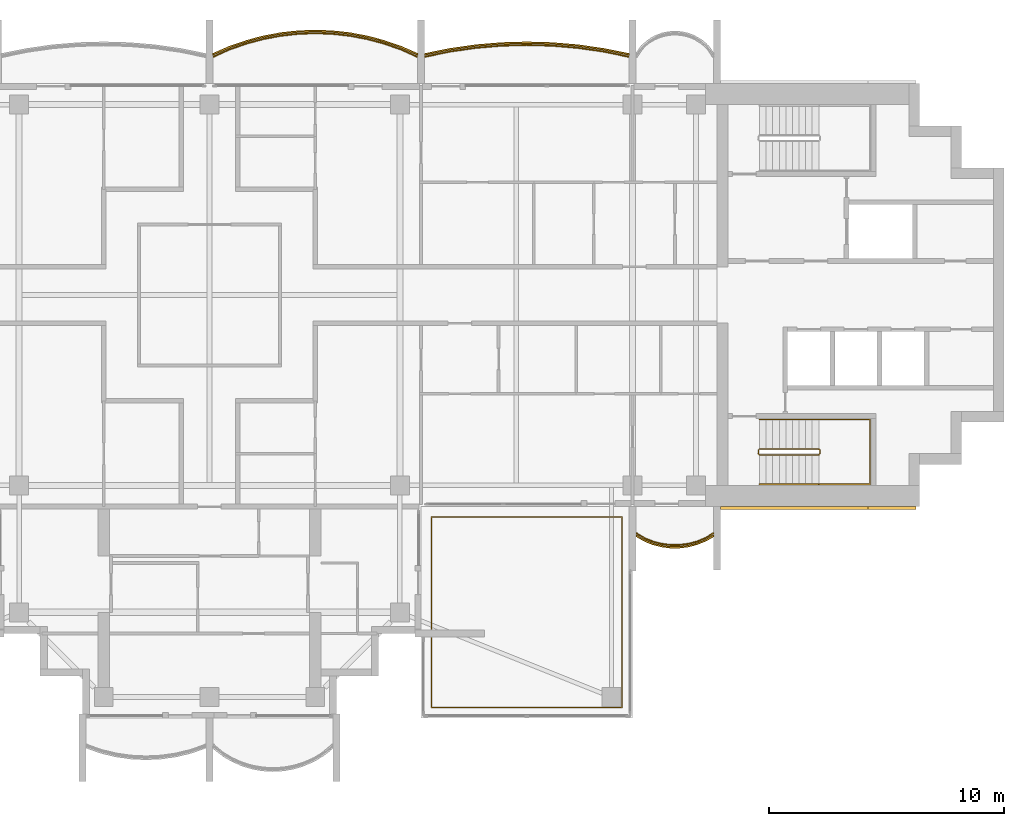
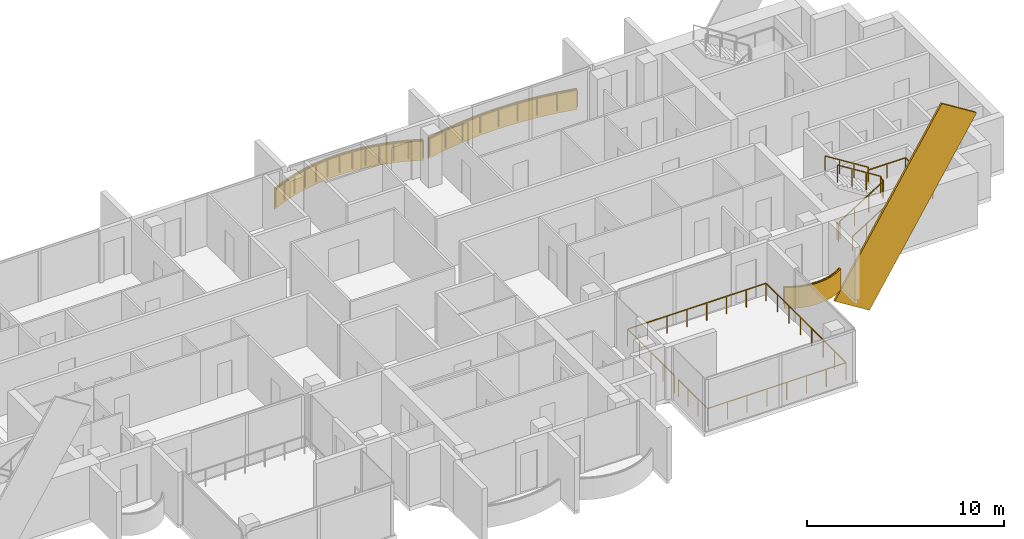
# One storey, part 15 of 16: 6 railings, 4 coverings.
"""IFC4 building model written with IfcOpenShell, lengths in metres."""

import ifcopenshell
import ifcopenshell.guid

model = None  # the IFC model being written
_history = None  # IfcOwnerHistory: only IFC2X3 demands one
_inside = {}  # id of a spatial element -> (the spatial element, [elements in it])
_under = {}  # id of a project, library or spatial element -> (it, [spatial elements below it])
_declared = {}  # id of a project -> (the project, [libraries it declares])
_typed = {}  # id of a type object -> (the type object, [elements of that type])
_made_of = {}  # id of a material, layer set ... -> (it, [elements and type objects made of it])


def new_model(schema):
    """Start an empty IFC model of exactly this schema.

    Asked for "IFC4X3", IfcOpenShell would pick the latest addendum, in which some entities
    have other attributes; the version numbers below select the first issue.
    IFC2X3 requires an IfcOwnerHistory on every rooted entity: one is made here for all.
    """
    global model, _history
    if schema == "IFC4X3":
        model = ifcopenshell.file(schema_version=(4, 3, 0, 0))
    else:
        model = ifcopenshell.file(schema=schema)
    _inside.clear()
    _under.clear()
    _declared.clear()
    _typed.clear()
    _made_of.clear()
    _history = None
    if model.schema == "IFC2X3":
        org = make("IfcOrganization", Name="unknown")
        user = make(
            "IfcPersonAndOrganization",
            ThePerson=make("IfcPerson", FamilyName="unknown"),
            TheOrganization=org,
        )
        app = make(
            "IfcApplication",
            ApplicationDeveloper=org,
            Version="unknown",
            ApplicationFullName="unknown",
            ApplicationIdentifier="unknown",
        )
        _history = make(
            "IfcOwnerHistory",
            OwningUser=user,
            OwningApplication=app,
            ChangeAction="ADDED",
            CreationDate=0,
        )
    return model


def make(cls, **values):
    """One entity of the class cls with the attributes given. An attribute that is None is left unset."""
    return model.create_entity(
        cls, **{name: value for name, value in values.items() if value is not None}
    )


def rooted(cls, **values):
    """An entity with a GlobalId (a new one), such as an element, a storey or a relation."""
    return make(cls, GlobalId=ifcopenshell.guid.new(), OwnerHistory=_history, **values)


def si_unit(unit_type, name, prefix=None):
    """IfcSIUnit, for example si_unit("LENGTHUNIT", "METRE", prefix="MILLI")."""
    return make("IfcSIUnit", UnitType=unit_type, Prefix=prefix, Name=name)


def assignment(units):
    """IfcUnitAssignment: the units of a project."""
    return None if units is None else make("IfcUnitAssignment", Units=units)


def point(xyz):
    """IfcCartesianPoint."""
    return None if xyz is None else make("IfcCartesianPoint", Coordinates=xyz)


def direction(xyz):
    """IfcDirection."""
    return None if xyz is None else make("IfcDirection", DirectionRatios=xyz)


def frame(location, z_axis=None, x_axis=None):
    """IfcAxis2Placement3D, a coordinate frame: its origin and axes. An axis left out is left unset."""
    return make(
        "IfcAxis2Placement3D",
        Location=point(location),
        Axis=direction(z_axis),
        RefDirection=direction(x_axis),
    )


def frame_2d(location, x_axis=None):
    """IfcAxis2Placement2D, a coordinate frame in the plane: its origin and x axis."""
    return make(
        "IfcAxis2Placement2D", Location=point(location), RefDirection=direction(x_axis)
    )


def origin():
    """The frame at (0, 0, 0) with its axes left unset."""
    return frame((0.0, 0.0, 0.0))


def origin_2d():
    """The frame at (0, 0) in the plane with its x axis left unset."""
    return frame_2d((0.0, 0.0))


def place(relative_to, where):
    """IfcLocalPlacement: puts the frame where relative to a parent placement (None: the world)."""
    return make(
        "IfcLocalPlacement", PlacementRelTo=relative_to, RelativePlacement=where
    )


def context(
    kind, dimensions, precision=None, world=None, true_north=None, identifier=None
):
    """IfcGeometricRepresentationContext, for example the 3D "Model" context."""
    return make(
        "IfcGeometricRepresentationContext",
        ContextIdentifier=identifier,
        ContextType=kind,
        CoordinateSpaceDimension=dimensions,
        Precision=precision,
        WorldCoordinateSystem=world,
        TrueNorth=true_north,
    )


def subcontext(parent, identifier, kind, view, scale=None):
    """IfcGeometricRepresentationSubContext, for example "Body" below "Model"."""
    return make(
        "IfcGeometricRepresentationSubContext",
        ContextIdentifier=identifier,
        ContextType=kind,
        ParentContext=parent,
        TargetScale=scale,
        TargetView=view,
    )


def project(units=None, contexts=None):
    """IfcProject with its units and contexts."""
    return rooted(
        "IfcProject",
        Name="project",
        RepresentationContexts=contexts,
        UnitsInContext=assignment(units),
    )


def spatial(cls, under=None, at=None, **own):
    """A site, building, storey or space (cls), placed at a placement, below another one or the project."""
    s = rooted(cls, ObjectPlacement=at, **own)
    if under is not None:
        _under.setdefault(under.id(), (under, []))[1].append(s)
    return s


def polyline(points):
    """IfcPolyline through the points."""
    return make("IfcPolyline", Points=[point(p) for p in points])


def profile(cls, at=None, kind="AREA", **sizes):
    """A parametric profile (cls). Its sizes go by their IFC names, for example OverallWidth=200.0."""
    return make(cls, ProfileType=kind, Position=at, **sizes)


def rectangle(**sizes):
    """IfcRectangleProfileDef."""
    return profile("IfcRectangleProfileDef", **sizes)


def outline(outer, holes=None, kind="AREA"):
    """IfcArbitraryClosedProfileDef: a profile drawn as a closed curve; with holes, ...WithVoids."""
    if holes is None:
        return make("IfcArbitraryClosedProfileDef", ProfileType=kind, OuterCurve=outer)
    return make(
        "IfcArbitraryProfileDefWithVoids",
        ProfileType=kind,
        OuterCurve=outer,
        InnerCurves=holes,
    )


def extrude(swept, where, along, depth):
    """IfcExtrudedAreaSolid: the profile swept, set in the frame where, extruded along a direction by depth."""
    return make(
        "IfcExtrudedAreaSolid",
        SweptArea=swept,
        Position=where,
        ExtrudedDirection=direction(along),
        Depth=depth,
    )


def shape(context_of_items, identifier, shape_type, items):
    """IfcShapeRepresentation: the items that make up one representation, for example the "Body"."""
    return make(
        "IfcShapeRepresentation",
        ContextOfItems=context_of_items,
        RepresentationIdentifier=identifier,
        RepresentationType=shape_type,
        Items=items,
    )


def material(Name=None, Category=None):
    """IfcMaterial."""
    return make("IfcMaterial", Name=Name, Category=Category)


def layer(
    of_material, thickness, ventilated=None, Name=None, Category=None, Priority=None
):
    """IfcMaterialLayer: one layer of a wall or slab, of a material (None: an air gap)."""
    return make(
        "IfcMaterialLayer",
        Material=of_material,
        LayerThickness=thickness,
        IsVentilated=ventilated,
        Name=Name,
        Category=Category,
        Priority=Priority,
    )


def layer_set(layers, Name=None):
    """IfcMaterialLayerSet."""
    return make("IfcMaterialLayerSet", MaterialLayers=layers, LayerSetName=Name)


def material_profile(
    of_material, cross_section, Name=None, Category=None, Priority=None
):
    """IfcMaterialProfile: a cross section and its material."""
    return make(
        "IfcMaterialProfile",
        Name=Name,
        Material=of_material,
        Profile=cross_section,
        Priority=Priority,
        Category=Category,
    )


def profile_set(profiles, Name=None, composite=None):
    """IfcMaterialProfileSet."""
    return make(
        "IfcMaterialProfileSet",
        Name=Name,
        MaterialProfiles=profiles,
        CompositeProfile=composite,
    )


def made_of(thing, what):
    """Note that an element or type object is made of a material, layer set ...; save() writes the relation."""
    if what is not None:
        _made_of.setdefault(what.id(), (what, []))[1].append(thing)
    return thing


def type_object(cls, material=None, **own):
    """A type object (cls), such as IfcWallType, which elements share."""
    return made_of(rooted(cls, **own), material)


def element(
    cls,
    number,
    at=None,
    inside=None,
    cuts=None,
    type_object=None,
    material=None,
    context=None,
    identifier="Body",
    shape_type=None,
    held_by="IfcProductDefinitionShape",
    body=None,
    shapes=None,
    **own,
):
    """One element of the class cls, such as IfcWall. Its Tag is "e" and its number.

    at: its placement. inside: the storey or other place that contains it. cuts: it is an
    opening in that element (IfcRelVoidsElement). A single representation is given by context,
    identifier, shape_type and body (its items); several are given by shapes. held_by: the class
    of the entity that holds the representations. save() writes the other relations.
    """
    e = rooted(cls, Tag="e%d" % number, ObjectPlacement=at, **own)
    if body is not None:
        shapes = [shape(context, identifier, shape_type, body)]
    if shapes is not None:
        e.Representation = make(held_by, Representations=shapes)
    if inside is not None:
        _inside.setdefault(inside.id(), (inside, []))[1].append(e)
    if cuts is not None:
        rooted(
            "IfcRelVoidsElement", RelatingBuildingElement=cuts, RelatedOpeningElement=e
        )
    if type_object is not None:
        _typed.setdefault(type_object.id(), (type_object, []))[1].append(e)
    return made_of(e, material)


def aggregate(whole, parts):
    """IfcRelAggregates: a whole, such as a stair, and the parts it consists of."""
    return rooted("IfcRelAggregates", RelatingObject=whole, RelatedObjects=parts)


def save(model, path):
    """Write the relations noted so far, then the file.

    IfcRelAggregates (storeys below a building ...), IfcRelContainedInSpatialStructure (elements
    in a storey), IfcRelDefinesByType, IfcRelAssociatesMaterial and IfcRelDeclares: one each for
    every whole, place, type object, material and project.
    """
    for whole, parts in _under.values():
        aggregate(whole, parts)
    for where, things in _inside.values():
        rooted(
            "IfcRelContainedInSpatialStructure",
            RelatedElements=things,
            RelatingStructure=where,
        )
    for kind, things in _typed.values():
        rooted("IfcRelDefinesByType", RelatedObjects=things, RelatingType=kind)
    for what, things in _made_of.values():
        rooted("IfcRelAssociatesMaterial", RelatedObjects=things, RelatingMaterial=what)
    for by, libraries in _declared.values():
        rooted("IfcRelDeclares", RelatingContext=by, RelatedDefinitions=libraries)
    model.write(path)


model = new_model("IFC4")

# Units and contexts
model_context = context("Model", 3, precision=1e-05, world=origin(), true_north=direction((0.0, 1.0)))
body_context = subcontext(model_context, "Body", "Model", "MODEL_VIEW")
ifc_project = project(units=[si_unit("LENGTHUNIT", "METRE"), si_unit("AREAUNIT", "SQUARE_METRE"), si_unit("VOLUMEUNIT", "CUBIC_METRE"), si_unit("PLANEANGLEUNIT", "RADIAN"), si_unit("MASSUNIT", "GRAM", prefix="KILO")], contexts=[model_context])

# Site, building, storey
site_placement = place(None, origin())
site = spatial("IfcSite", under=ifc_project, at=site_placement, CompositionType="ELEMENT")
building_placement = place(site_placement, origin())
building = spatial("IfcBuilding", under=site, at=building_placement, Name="Perihelion Cross Residences", CompositionType="ELEMENT")
storey_placement = place(building_placement, frame((0.0, 0.0, 271.0)))
storey = spatial("IfcBuildingStorey", under=building, at=storey_placement, Name="L69", CompositionType="ELEMENT", Elevation=271.0)

# Coverings
ifc_material_1 = material(Name="Bronze anodised aluminium", Category="aluminium")
ifc_layer = layer(ifc_material_1, 0.070068359375)
ifc_layer_set = layer_set([ifc_layer], Name="Balcony fascia 1300")
covering_type_1 = type_object("IfcCoveringType", Name="Balcony fascia 1300", PredefinedType="CLADDING", material=ifc_layer_set)
covering_1_placement = place(storey_placement, frame((0.0, 0.0, -0.199951171875)))
element("IfcCovering", 1, at=covering_1_placement, inside=storey, type_object=covering_type_1, Name="Fascia BF1 L69 east side north bay 2", PredefinedType="CLADDING", context=body_context, shape_type="SweptSolid", body=[
    extrude(outline(polyline([(16.7744140625, 10.4892578125), (15.682861328125, 10.645751953125), (14.591552734375, 10.739013671875), (13.5, 10.77001953125), (12.408447265625, 10.739013671875), (11.317138671875, 10.645751953125), (10.2255859375, 10.4892578125), (9.14990234375, 10.271484375), (9.14990234375, 10.199951171875), (10.237548828125, 10.42041015625), (11.324951171875, 10.576171875), (12.41259765625, 10.669189453125), (13.5, 10.699951171875), (14.58740234375, 10.669189453125), (15.675048828125, 10.576171875), (16.762451171875, 10.42041015625), (17.85009765625, 10.199951171875), (17.85009765625, 10.271484375), (16.7744140625, 10.4892578125)])), origin(), (0.0, 0.0, 1.0), 1.300048828125),
])
covering_2_placement = place(storey_placement, frame((0.0, 0.0, -0.199951171875)))
element("IfcCovering", 2, at=covering_2_placement, inside=storey, type_object=covering_type_1, Name="Fascia BF1 L69 north side east bay 1", PredefinedType="CLADDING", context=body_context, shape_type="SweptSolid", body=[
    extrude(outline(polyline([(8.150634765625, 10.582275390625), (7.42041015625, 10.83544921875), (6.690185546875, 11.028076171875), (5.960205078125, 11.1630859375), (5.22998046875, 11.243408203125), (4.5, 11.27001953125), (3.77001953125, 11.243408203125), (3.039794921875, 11.1630859375), (2.309814453125, 11.028076171875), (1.57958984375, 10.83544921875), (0.849365234375, 10.582275390625), (0.14990234375, 10.2763671875), (0.14990234375, 10.199951171875), (0.875, 10.51708984375), (1.60009765625, 10.7685546875), (2.324951171875, 10.959716796875), (3.050048828125, 11.093994140625), (3.77490234375, 11.173583984375), (4.5, 11.199951171875), (5.22509765625, 11.173583984375), (5.949951171875, 11.093994140625), (6.675048828125, 10.959716796875), (7.39990234375, 10.7685546875), (8.125, 10.51708984375), (8.85009765625, 10.199951171875), (8.85009765625, 10.2763671875), (8.150634765625, 10.582275390625)])), origin(), (0.0, 0.0, 1.0), 1.300048828125),
])
covering_3_placement = place(storey_placement, frame((0.0, 0.0, -0.199951171875)))
element("IfcCovering", 3, at=covering_3_placement, inside=storey, type_object=covering_type_1, Name="Fascia BF1 L69 east side south bay 2", PredefinedType="CLADDING", context=body_context, shape_type="SweptSolid", body=[
    extrude(outline(polyline([(18.486328125, -10.4716796875), (18.861572265625, -10.62158203125), (19.237060546875, -10.717529296875), (19.6123046875, -10.76416015625), (19.987548828125, -10.76416015625), (20.363037109375, -10.717529296875), (20.73828125, -10.62158203125), (21.11376953125, -10.4716796875), (21.449951171875, -10.280517578125), (21.449951171875, -10.199951171875), (21.083251953125, -10.40869140625), (20.716552734375, -10.55517578125), (20.35009765625, -10.648681640625), (19.9833984375, -10.6943359375), (19.61669921875, -10.6943359375), (19.25, -10.648681640625), (18.88330078125, -10.55517578125), (18.5166015625, -10.40869140625), (18.14990234375, -10.199951171875), (18.14990234375, -10.280517578125), (18.486328125, -10.4716796875)])), origin(), (0.0, 0.0, 1.0), 1.300048828125),
])

# Railings
ifc_material_2 = material(Name="Bronze anodised aluminium", Category="aluminium")
railing_type_1 = type_object("IfcRailingType", Name="Balcony guard 1100", PredefinedType="GUARDRAIL", material=ifc_material_2)
railing_1_placement = place(storey_placement, frame((17.824951171875, 10.139892578125, 0.0)))
element("IfcRailing", 4, at=railing_1_placement, inside=storey, type_object=railing_type_1, Name="Guard GU1 L69 east side north bay 2 balcony", PredefinedType="GUARDRAIL", context=body_context, shape_type="SweptSolid", body=[
    extrude(rectangle(XDim=0.048095703125, YDim=0.048095703125, at=origin_2d()), frame((0.0, 0.0, 1.076171875), z_axis=(-0.979144816647, 0.203163549961, 0.0), x_axis=(-0.203163549961, -0.979144816647, 0.0)), (0.0, 0.0, 1.0), 1.085205078125),
    extrude(rectangle(XDim=0.048095703125, YDim=0.048095703125, at=origin_2d()), frame((-1.0625, 0.220458984375, 1.076171875), z_axis=(-0.98989608354, 0.141794724135, 0.0), x_axis=(-0.141794724135, -0.98989608354, 0.0)), (0.0, 0.0, 1.0), 1.098388671875),
    extrude(rectangle(XDim=0.048095703125, YDim=0.048095703125, at=origin_2d()), frame((-2.14990234375, 0.376220703125, 1.076171875), z_axis=(-0.996362942492, 0.085210837506, 0.0), x_axis=(-0.085210837506, -0.996362942492, 0.0)), (0.0, 0.0, 1.0), 1.091552734375),
    extrude(rectangle(XDim=0.048095703125, YDim=0.048095703125, at=origin_2d()), frame((-3.237548828125, 0.46923828125, 1.076171875), z_axis=(-0.999600101203, 0.028277865458, 0.0), x_axis=(-0.028277865458, -0.999600101203, 0.0)), (0.0, 0.0, 1.0), 1.087890625),
    extrude(rectangle(XDim=0.048095703125, YDim=0.048095703125, at=origin_2d()), frame((-4.324951171875, 0.5, 1.076171875), z_axis=(-0.999600101203, -0.028277865458, 0.0), x_axis=(0.028277865458, -0.999600101203, 0.0)), (0.0, 0.0, 1.0), 1.087890625),
    extrude(rectangle(XDim=0.048095703125, YDim=0.048095703125, at=origin_2d()), frame((-5.412353515625, 0.46923828125, 1.076171875), z_axis=(-0.996362942492, -0.085210837506, 0.0), x_axis=(0.085210837506, -0.996362942492, 0.0)), (0.0, 0.0, 1.0), 1.091552734375),
    extrude(rectangle(XDim=0.048095703125, YDim=0.048095703125, at=origin_2d()), frame((-6.5, 0.376220703125, 1.076171875), z_axis=(-0.98989608354, -0.141794724135, 0.0), x_axis=(0.141794724135, -0.98989608354, 0.0)), (0.0, 0.0, 1.0), 1.098388671875),
    extrude(rectangle(XDim=0.048095703125, YDim=0.048095703125, at=origin_2d()), frame((-7.58740234375, 0.220458984375, 1.076171875), z_axis=(-0.979144816647, -0.203163549961, 0.0), x_axis=(0.203163549961, -0.979144816647, 0.0)), (0.0, 0.0, 1.0), 1.085205078125),
    extrude(rectangle(XDim=0.0419921875, YDim=0.0419921875, at=origin_2d()), origin(), (0.0, 0.0, 1.0), 1.052001953125),
    extrude(rectangle(XDim=0.0419921875, YDim=0.0419921875, at=origin_2d()), frame((-1.0625, 0.220458984375, 0.0)), (0.0, 0.0, 1.0), 1.052001953125),
    extrude(rectangle(XDim=0.0419921875, YDim=0.0419921875, at=origin_2d()), frame((-2.14990234375, 0.376220703125, 0.0)), (0.0, 0.0, 1.0), 1.052001953125),
    extrude(rectangle(XDim=0.0419921875, YDim=0.0419921875, at=origin_2d()), frame((-3.237548828125, 0.46923828125, 0.0)), (0.0, 0.0, 1.0), 1.052001953125),
    extrude(rectangle(XDim=0.0419921875, YDim=0.0419921875, at=origin_2d()), frame((-4.324951171875, 0.5, 0.0)), (0.0, 0.0, 1.0), 1.052001953125),
    extrude(rectangle(XDim=0.0419921875, YDim=0.0419921875, at=origin_2d()), frame((-5.412353515625, 0.46923828125, 0.0)), (0.0, 0.0, 1.0), 1.052001953125),
    extrude(rectangle(XDim=0.0419921875, YDim=0.0419921875, at=origin_2d()), frame((-6.5, 0.376220703125, 0.0)), (0.0, 0.0, 1.0), 1.052001953125),
    extrude(rectangle(XDim=0.0419921875, YDim=0.0419921875, at=origin_2d()), frame((-7.58740234375, 0.220458984375, 0.0)), (0.0, 0.0, 1.0), 1.052001953125),
    extrude(rectangle(XDim=0.0419921875, YDim=0.0419921875, at=origin_2d()), frame((-8.64990234375, 0.0, 0.0)), (0.0, 0.0, 1.0), 1.052001953125),
])
railing_2_placement = place(storey_placement, frame((8.824951171875, 10.139892578125, 0.0)))
element("IfcRailing", 5, at=railing_2_placement, inside=storey, type_object=railing_type_1, Name="Guard GU1 L69 north side east bay 1 balcony", PredefinedType="GUARDRAIL", context=body_context, shape_type="SweptSolid", body=[
    extrude(rectangle(XDim=0.048095703125, YDim=0.048095703125, at=origin_2d()), frame((0.0, 0.0, 1.076171875), z_axis=(-0.910866309087, 0.412701547089, 0.0), x_axis=(-0.412701547089, -0.910866309087, 0.0)), (0.0, 0.0, 1.0), 0.7685546875),
    extrude(rectangle(XDim=0.048095703125, YDim=0.048095703125, at=origin_2d()), frame((-0.699951171875, 0.317138671875, 1.076171875), z_axis=(-0.944796812452, 0.327656807012, 0.0), x_axis=(-0.327656807012, -0.944796812452, 0.0)), (0.0, 0.0, 1.0), 0.767578125),
    extrude(rectangle(XDim=0.048095703125, YDim=0.048095703125, at=origin_2d()), frame((-1.425048828125, 0.568603515625, 1.076171875), z_axis=(-0.966939404945, 0.255006249266, 0.0), x_axis=(-0.255006249266, -0.966939404945, 0.0)), (0.0, 0.0, 1.0), 0.749755859375),
    extrude(rectangle(XDim=0.048095703125, YDim=0.048095703125, at=origin_2d()), frame((-2.14990234375, 0.759765625, 1.076171875), z_axis=(-0.983282004984, 0.182089260182, 0.0), x_axis=(-0.182089260182, -0.983282004984, 0.0)), (0.0, 0.0, 1.0), 0.7373046875),
    extrude(rectangle(XDim=0.048095703125, YDim=0.048095703125, at=origin_2d()), frame((-2.875, 0.89404296875, 1.076171875), z_axis=(-0.994025805622, 0.109145305703, 0.0), x_axis=(-0.109145305703, -0.994025805622, 0.0)), (0.0, 0.0, 1.0), 0.729248046875),
    extrude(rectangle(XDim=0.048095703125, YDim=0.048095703125, at=origin_2d()), frame((-3.599853515625, 0.9736328125, 1.076171875), z_axis=(-0.999339497946, 0.036339618107, 0.0), x_axis=(-0.036339618107, -0.999339497946, 0.0)), (0.0, 0.0, 1.0), 0.7255859375),
    extrude(rectangle(XDim=0.048095703125, YDim=0.048095703125, at=origin_2d()), frame((-4.324951171875, 1.0, 1.076171875), z_axis=(-0.999339497946, -0.036339618107, 0.0), x_axis=(0.036339618107, -0.999339497946, 0.0)), (0.0, 0.0, 1.0), 0.7255859375),
    extrude(rectangle(XDim=0.048095703125, YDim=0.048095703125, at=origin_2d()), frame((-5.050048828125, 0.9736328125, 1.076171875), z_axis=(-0.994025805622, -0.109145305703, 0.0), x_axis=(0.109145305703, -0.994025805622, 0.0)), (0.0, 0.0, 1.0), 0.729248046875),
    extrude(rectangle(XDim=0.048095703125, YDim=0.048095703125, at=origin_2d()), frame((-5.77490234375, 0.89404296875, 1.076171875), z_axis=(-0.983282004984, -0.182089260182, 0.0), x_axis=(0.182089260182, -0.983282004984, 0.0)), (0.0, 0.0, 1.0), 0.7373046875),
    extrude(rectangle(XDim=0.048095703125, YDim=0.048095703125, at=origin_2d()), frame((-6.5, 0.759765625, 1.076171875), z_axis=(-0.966939404945, -0.255006249266, 0.0), x_axis=(0.255006249266, -0.966939404945, 0.0)), (0.0, 0.0, 1.0), 0.749755859375),
    extrude(rectangle(XDim=0.048095703125, YDim=0.048095703125, at=origin_2d()), frame((-7.224853515625, 0.568603515625, 1.076171875), z_axis=(-0.944796812452, -0.327656807012, 0.0), x_axis=(0.327656807012, -0.944796812452, 0.0)), (0.0, 0.0, 1.0), 0.767578125),
    extrude(rectangle(XDim=0.048095703125, YDim=0.048095703125, at=origin_2d()), frame((-7.949951171875, 0.317138671875, 1.076171875), z_axis=(-0.910866309087, -0.412701547089, 0.0), x_axis=(0.412701547089, -0.910866309087, 0.0)), (0.0, 0.0, 1.0), 0.7685546875),
    extrude(rectangle(XDim=0.0419921875, YDim=0.0419921875, at=origin_2d()), origin(), (0.0, 0.0, 1.0), 1.052001953125),
    extrude(rectangle(XDim=0.0419921875, YDim=0.0419921875, at=origin_2d()), frame((-0.699951171875, 0.317138671875, 0.0)), (0.0, 0.0, 1.0), 1.052001953125),
    extrude(rectangle(XDim=0.0419921875, YDim=0.0419921875, at=origin_2d()), frame((-1.425048828125, 0.568603515625, 0.0)), (0.0, 0.0, 1.0), 1.052001953125),
    extrude(rectangle(XDim=0.0419921875, YDim=0.0419921875, at=origin_2d()), frame((-2.14990234375, 0.759765625, 0.0)), (0.0, 0.0, 1.0), 1.052001953125),
    extrude(rectangle(XDim=0.0419921875, YDim=0.0419921875, at=origin_2d()), frame((-2.875, 0.89404296875, 0.0)), (0.0, 0.0, 1.0), 1.052001953125),
    extrude(rectangle(XDim=0.0419921875, YDim=0.0419921875, at=origin_2d()), frame((-3.599853515625, 0.9736328125, 0.0)), (0.0, 0.0, 1.0), 1.052001953125),
    extrude(rectangle(XDim=0.0419921875, YDim=0.0419921875, at=origin_2d()), frame((-4.324951171875, 1.0, 0.0)), (0.0, 0.0, 1.0), 1.052001953125),
    extrude(rectangle(XDim=0.0419921875, YDim=0.0419921875, at=origin_2d()), frame((-5.050048828125, 0.9736328125, 0.0)), (0.0, 0.0, 1.0), 1.052001953125),
    extrude(rectangle(XDim=0.0419921875, YDim=0.0419921875, at=origin_2d()), frame((-5.77490234375, 0.89404296875, 0.0)), (0.0, 0.0, 1.0), 1.052001953125),
    extrude(rectangle(XDim=0.0419921875, YDim=0.0419921875, at=origin_2d()), frame((-6.5, 0.759765625, 0.0)), (0.0, 0.0, 1.0), 1.052001953125),
    extrude(rectangle(XDim=0.0419921875, YDim=0.0419921875, at=origin_2d()), frame((-7.224853515625, 0.568603515625, 0.0)), (0.0, 0.0, 1.0), 1.052001953125),
    extrude(rectangle(XDim=0.0419921875, YDim=0.0419921875, at=origin_2d()), frame((-7.949951171875, 0.317138671875, 0.0)), (0.0, 0.0, 1.0), 1.052001953125),
    extrude(rectangle(XDim=0.0419921875, YDim=0.0419921875, at=origin_2d()), frame((-8.64990234375, 0.0, 0.0)), (0.0, 0.0, 1.0), 1.052001953125),
])
railing_3_placement = place(storey_placement, frame((18.175048828125, -10.139892578125, 0.0)))
element("IfcRailing", 6, at=railing_3_placement, inside=storey, type_object=railing_type_1, Name="Guard GU1 L69 east side south bay 2 balcony", PredefinedType="GUARDRAIL", context=body_context, shape_type="SweptSolid", body=[
    extrude(rectangle(XDim=0.048095703125, YDim=0.048095703125, at=origin_2d()), frame((0.0, 0.0, 1.076171875), z_axis=(0.853266756821, -0.52147467983, 0.0), x_axis=(0.52147467983, 0.853266756821, 0.0)), (0.0, 0.0, 1.0), 0.400390625),
    extrude(rectangle(XDim=0.048095703125, YDim=0.048095703125, at=origin_2d()), frame((0.341552734375, -0.208740234375, 1.076171875), z_axis=(0.928647151248, -0.37096424151, 0.0), x_axis=(0.37096424151, 0.928647151248, 0.0)), (0.0, 0.0, 1.0), 0.394775390625),
    extrude(rectangle(XDim=0.048095703125, YDim=0.048095703125, at=origin_2d()), frame((0.708251953125, -0.355224609375, 1.076171875), z_axis=(0.968993337782, -0.247086849781, 0.0), x_axis=(0.247086849781, 0.968993337782, 0.0)), (0.0, 0.0, 1.0), 0.37841796875),
    extrude(rectangle(XDim=0.048095703125, YDim=0.048095703125, at=origin_2d()), frame((1.074951171875, -0.44873046875, 1.076171875), z_axis=(0.992338742457, -0.123546834114, 0.0), x_axis=(0.123546834114, 0.992338742457, 0.0)), (0.0, 0.0, 1.0), 0.36962890625),
    extrude(rectangle(XDim=0.048095703125, YDim=0.048095703125, at=origin_2d()), frame((1.441650390625, -0.494384765625, 1.076171875), z_axis=(1.0, 0.0, 0.0), x_axis=(0.0, 1.0, 0.0)), (0.0, 0.0, 1.0), 0.36669921875),
    extrude(rectangle(XDim=0.048095703125, YDim=0.048095703125, at=origin_2d()), frame((1.808349609375, -0.494384765625, 1.076171875), z_axis=(0.992338742457, 0.123546834114, 0.0), x_axis=(-0.123546834114, 0.992338742457, 0.0)), (0.0, 0.0, 1.0), 0.36962890625),
    extrude(rectangle(XDim=0.048095703125, YDim=0.048095703125, at=origin_2d()), frame((2.175048828125, -0.44873046875, 1.076171875), z_axis=(0.968953914071, 0.247241405123, 0.0), x_axis=(-0.247241405123, 0.968953914071, 0.0)), (0.0, 0.0, 1.0), 0.378173828125),
    extrude(rectangle(XDim=0.048095703125, YDim=0.048095703125, at=origin_2d()), frame((2.54150390625, -0.355224609375, 1.076171875), z_axis=(0.928647151248, 0.37096424151, 0.0), x_axis=(-0.37096424151, 0.928647151248, 0.0)), (0.0, 0.0, 1.0), 0.394775390625),
    extrude(rectangle(XDim=0.048095703125, YDim=0.048095703125, at=origin_2d()), frame((2.908203125, -0.208740234375, 1.076171875), z_axis=(0.853432484338, 0.521203410078, 0.0), x_axis=(-0.521203410078, 0.853432484338, 0.0)), (0.0, 0.0, 1.0), 0.400390625),
    extrude(rectangle(XDim=0.0419921875, YDim=0.0419921875, at=origin_2d()), origin(), (0.0, 0.0, 1.0), 1.052001953125),
    extrude(rectangle(XDim=0.0419921875, YDim=0.0419921875, at=origin_2d()), frame((0.341552734375, -0.208740234375, 0.0)), (0.0, 0.0, 1.0), 1.052001953125),
    extrude(rectangle(XDim=0.0419921875, YDim=0.0419921875, at=origin_2d()), frame((0.708251953125, -0.355224609375, 0.0)), (0.0, 0.0, 1.0), 1.052001953125),
    extrude(rectangle(XDim=0.0419921875, YDim=0.0419921875, at=origin_2d()), frame((1.074951171875, -0.44873046875, 0.0)), (0.0, 0.0, 1.0), 1.052001953125),
    extrude(rectangle(XDim=0.0419921875, YDim=0.0419921875, at=origin_2d()), frame((1.441650390625, -0.494384765625, 0.0)), (0.0, 0.0, 1.0), 1.052001953125),
    extrude(rectangle(XDim=0.0419921875, YDim=0.0419921875, at=origin_2d()), frame((1.808349609375, -0.494384765625, 0.0)), (0.0, 0.0, 1.0), 1.052001953125),
    extrude(rectangle(XDim=0.0419921875, YDim=0.0419921875, at=origin_2d()), frame((2.175048828125, -0.44873046875, 0.0)), (0.0, 0.0, 1.0), 1.052001953125),
    extrude(rectangle(XDim=0.0419921875, YDim=0.0419921875, at=origin_2d()), frame((2.54150390625, -0.355224609375, 0.0)), (0.0, 0.0, 1.0), 1.052001953125),
    extrude(rectangle(XDim=0.0419921875, YDim=0.0419921875, at=origin_2d()), frame((2.908203125, -0.208740234375, 0.0)), (0.0, 0.0, 1.0), 1.052001953125),
    extrude(rectangle(XDim=0.0419921875, YDim=0.0419921875, at=origin_2d()), frame((3.25, 0.0, 0.0)), (0.0, 0.0, 1.0), 1.052001953125),
])
railing_4_placement = place(storey_placement, frame((9.449951171875, -14.2099609375, 0.0)))
element("IfcRailing", 7, at=railing_4_placement, inside=storey, type_object=railing_type_1, Name="Guard GU1 L69 pocket south-east 1", PredefinedType="GUARDRAIL", context=body_context, shape_type="SweptSolid", body=[
    extrude(rectangle(XDim=0.048095703125, YDim=0.048095703125, at=origin_2d()), frame((0.0, 0.0, 1.076171875), z_axis=(0.0, 1.0, 0.0), x_axis=(-1.0, 0.0, 0.0)), (0.0, 0.0, 1.0), 4.760009765625),
    extrude(rectangle(XDim=0.048095703125, YDim=0.048095703125, at=origin_2d()), frame((0.0, 4.760009765625, 1.076171875), z_axis=(1.0, 0.0, 0.0), x_axis=(0.0, 1.0, 0.0)), (0.0, 0.0, 1.0), 8.10009765625),
    extrude(rectangle(XDim=0.048095703125, YDim=0.048095703125, at=origin_2d()), frame((8.10009765625, 4.760009765625, 1.076171875), z_axis=(0.0, -1.0, 0.0), x_axis=(1.0, 0.0, 0.0)), (0.0, 0.0, 1.0), 8.10009765625),
    extrude(rectangle(XDim=0.048095703125, YDim=0.048095703125, at=origin_2d()), frame((8.10009765625, -3.340087890625, 1.076171875), z_axis=(-1.0, 0.0, 0.0), x_axis=(0.0, -1.0, 0.0)), (0.0, 0.0, 1.0), 8.10009765625),
    extrude(rectangle(XDim=0.048095703125, YDim=0.048095703125, at=origin_2d()), frame((0.0, -3.340087890625, 1.076171875), z_axis=(0.0, 1.0, 0.0), x_axis=(-1.0, 0.0, 0.0)), (0.0, 0.0, 1.0), 2.9599609375),
    extrude(rectangle(XDim=0.0419921875, YDim=0.0419921875, at=origin_2d()), origin(), (0.0, 0.0, 1.0), 1.052001953125),
    extrude(rectangle(XDim=0.0419921875, YDim=0.0419921875, at=origin_2d()), frame((0.0, 1.18994140625, 0.0)), (0.0, 0.0, 1.0), 1.052001953125),
    extrude(rectangle(XDim=0.0419921875, YDim=0.0419921875, at=origin_2d()), frame((0.0, 2.3798828125, 0.0)), (0.0, 0.0, 1.0), 1.052001953125),
    extrude(rectangle(XDim=0.0419921875, YDim=0.0419921875, at=origin_2d()), frame((0.0, 3.570068359375, 0.0)), (0.0, 0.0, 1.0), 1.052001953125),
    extrude(rectangle(XDim=0.0419921875, YDim=0.0419921875, at=origin_2d()), frame((0.0, 4.760009765625, 0.0)), (0.0, 0.0, 1.0), 1.052001953125),
    extrude(rectangle(XDim=0.0419921875, YDim=0.0419921875, at=origin_2d()), frame((1.1572265625, 4.760009765625, 0.0)), (0.0, 0.0, 1.0), 1.052001953125),
    extrude(rectangle(XDim=0.0419921875, YDim=0.0419921875, at=origin_2d()), frame((2.314208984375, 4.760009765625, 0.0)), (0.0, 0.0, 1.0), 1.052001953125),
    extrude(rectangle(XDim=0.0419921875, YDim=0.0419921875, at=origin_2d()), frame((3.471435546875, 4.760009765625, 0.0)), (0.0, 0.0, 1.0), 1.052001953125),
    extrude(rectangle(XDim=0.0419921875, YDim=0.0419921875, at=origin_2d()), frame((4.628662109375, 4.760009765625, 0.0)), (0.0, 0.0, 1.0), 1.052001953125),
    extrude(rectangle(XDim=0.0419921875, YDim=0.0419921875, at=origin_2d()), frame((5.785888671875, 4.760009765625, 0.0)), (0.0, 0.0, 1.0), 1.052001953125),
    extrude(rectangle(XDim=0.0419921875, YDim=0.0419921875, at=origin_2d()), frame((6.94287109375, 4.760009765625, 0.0)), (0.0, 0.0, 1.0), 1.052001953125),
    extrude(rectangle(XDim=0.0419921875, YDim=0.0419921875, at=origin_2d()), frame((8.10009765625, 4.760009765625, 0.0)), (0.0, 0.0, 1.0), 1.052001953125),
    extrude(rectangle(XDim=0.0419921875, YDim=0.0419921875, at=origin_2d()), frame((8.10009765625, 3.602783203125, 0.0)), (0.0, 0.0, 1.0), 1.052001953125),
    extrude(rectangle(XDim=0.0419921875, YDim=0.0419921875, at=origin_2d()), frame((8.10009765625, 2.44580078125, 0.0)), (0.0, 0.0, 1.0), 1.052001953125),
    extrude(rectangle(XDim=0.0419921875, YDim=0.0419921875, at=origin_2d()), frame((8.10009765625, 1.28857421875, 0.0)), (0.0, 0.0, 1.0), 1.052001953125),
    extrude(rectangle(XDim=0.0419921875, YDim=0.0419921875, at=origin_2d()), frame((8.10009765625, 0.13134765625, 0.0)), (0.0, 0.0, 1.0), 1.052001953125),
    extrude(rectangle(XDim=0.0419921875, YDim=0.0419921875, at=origin_2d()), frame((8.10009765625, -1.02587890625, 0.0)), (0.0, 0.0, 1.0), 1.052001953125),
    extrude(rectangle(XDim=0.0419921875, YDim=0.0419921875, at=origin_2d()), frame((8.10009765625, -2.182861328125, 0.0)), (0.0, 0.0, 1.0), 1.052001953125),
    extrude(rectangle(XDim=0.0419921875, YDim=0.0419921875, at=origin_2d()), frame((8.10009765625, -3.340087890625, 0.0)), (0.0, 0.0, 1.0), 1.052001953125),
    extrude(rectangle(XDim=0.0419921875, YDim=0.0419921875, at=origin_2d()), frame((6.94287109375, -3.340087890625, 0.0)), (0.0, 0.0, 1.0), 1.052001953125),
    extrude(rectangle(XDim=0.0419921875, YDim=0.0419921875, at=origin_2d()), frame((5.785888671875, -3.340087890625, 0.0)), (0.0, 0.0, 1.0), 1.052001953125),
    extrude(rectangle(XDim=0.0419921875, YDim=0.0419921875, at=origin_2d()), frame((4.628662109375, -3.340087890625, 0.0)), (0.0, 0.0, 1.0), 1.052001953125),
    extrude(rectangle(XDim=0.0419921875, YDim=0.0419921875, at=origin_2d()), frame((3.471435546875, -3.340087890625, 0.0)), (0.0, 0.0, 1.0), 1.052001953125),
    extrude(rectangle(XDim=0.0419921875, YDim=0.0419921875, at=origin_2d()), frame((2.314208984375, -3.340087890625, 0.0)), (0.0, 0.0, 1.0), 1.052001953125),
    extrude(rectangle(XDim=0.0419921875, YDim=0.0419921875, at=origin_2d()), frame((1.1572265625, -3.340087890625, 0.0)), (0.0, 0.0, 1.0), 1.052001953125),
    extrude(rectangle(XDim=0.0419921875, YDim=0.0419921875, at=origin_2d()), frame((0.0, -3.340087890625, 0.0)), (0.0, 0.0, 1.0), 1.052001953125),
    extrude(rectangle(XDim=0.0419921875, YDim=0.0419921875, at=origin_2d()), frame((0.0, -2.353515625, 0.0)), (0.0, 0.0, 1.0), 1.052001953125),
    extrude(rectangle(XDim=0.0419921875, YDim=0.0419921875, at=origin_2d()), frame((0.0, -1.36669921875, 0.0)), (0.0, 0.0, 1.0), 1.052001953125),
    extrude(rectangle(XDim=0.0419921875, YDim=0.0419921875, at=origin_2d()), frame((0.0, -0.380126953125, 0.0)), (0.0, 0.0, 1.0), 1.052001953125),
])

# Covering
ifc_material_3 = material(Name="Bronze anodised aluminium", Category="aluminium")
ifc_material_profile = material_profile(ifc_material_3, rectangle(XDim=0.125, YDim=2.39990234375, at=origin_2d()), Name="Bronze cladding band 2400")
ifc_profile_set = profile_set([ifc_material_profile], Name="Bronze anodised aluminium")
covering_type_2 = type_object("IfcCoveringType", Name="Bronze cladding band 2400", PredefinedType="CLADDING", material=ifc_profile_set)
covering_4_placement = place(storey_placement, frame((22.767578125, -9.0625, -2.345458984375), z_axis=(0.529915403603, 0.0, 0.848050508534), x_axis=(0.0, 1.0, 0.0)))
element("IfcCovering", 8, at=covering_4_placement, inside=storey, type_object=covering_type_2, Name="Core cladding band, east core", PredefinedType="CLADDING", context=body_context, shape_type="SweptSolid", body=[
    extrude(rectangle(XDim=0.125, YDim=2.39990234375, at=origin_2d()), origin(), (0.0, 0.0, 1.0), 11.822021484375),
])

# Railings
ifc_material_4 = material(Name="Stainless steel", Category="steel")
railing_type_2 = type_object("IfcRailingType", Name="Stair guard 1100", PredefinedType="GUARDRAIL", material=ifc_material_4)
railing_5_placement = place(storey_placement, frame((23.35009765625, -6.60009765625, 0.0)))
element("IfcRailing", 9, at=railing_5_placement, inside=storey, type_object=railing_type_2, Name="L69 ST-E2 stair guard 1", PredefinedType="GUARDRAIL", context=body_context, shape_type="SweptSolid", body=[
    extrude(rectangle(XDim=0.048095703125, YDim=0.048095703125, at=origin_2d()), frame((0.0, 0.0, 1.076171875), z_axis=(0.0, -1.0, 0.0), x_axis=(1.0, 0.0, 0.0)), (0.0, 0.0, 1.0), 0.14990234375),
    extrude(rectangle(XDim=0.048095703125, YDim=0.048095703125, at=origin_2d()), frame((0.0, -0.14990234375, 1.076171875), z_axis=(0.263862480399, -0.265155923931, 0.927399011991), x_axis=(0.708833529934, 0.705375805398, 0.0)), (0.0, 0.0, 1.0), 0.188720703125),
    extrude(rectangle(XDim=0.048095703125, YDim=0.048095703125, at=origin_2d()), frame((0.0498046875, -0.199951171875, 1.2509765625), z_axis=(0.848007534815, 0.0, 0.529984170421), x_axis=(0.0, 1.0, 0.0)), (0.0, 0.0, 1.0), 2.9716796875),
    extrude(rectangle(XDim=0.048095703125, YDim=0.048095703125, at=origin_2d()), frame((2.56982421875, -0.199951171875, 2.826171875), z_axis=(0.707106781187, 0.707106781187, 0.0), x_axis=(-0.707106781187, 0.707106781187, 0.0)), (0.0, 0.0, 1.0), 0.07080078125),
    extrude(rectangle(XDim=0.048095703125, YDim=0.048095703125, at=origin_2d()), frame((2.619873046875, -0.14990234375, 2.826171875), z_axis=(0.0, 1.0, 0.0), x_axis=(-1.0, 0.0, 0.0)), (0.0, 0.0, 1.0), 0.14990234375),
    extrude(rectangle(XDim=0.048095703125, YDim=0.048095703125, at=origin_2d()), frame((2.619873046875, 0.0, 2.826171875), z_axis=(-0.265065253269, 0.265065253269, 0.927081885822), x_axis=(-0.707106781187, -0.707106781187, 0.0)), (0.0, 0.0, 1.0), 0.188720703125),
    extrude(rectangle(XDim=0.048095703125, YDim=0.048095703125, at=origin_2d()), frame((2.56982421875, 0.050048828125, 3.0009765625), z_axis=(-0.848007534815, 0.0, 0.529984170421), x_axis=(0.0, -1.0, 0.0)), (0.0, 0.0, 1.0), 2.9716796875),
    extrude(rectangle(XDim=0.0419921875, YDim=0.0419921875, at=origin_2d()), origin(), (0.0, 0.0, 1.0), 1.052001953125),
    extrude(rectangle(XDim=0.0419921875, YDim=0.0419921875, at=origin_2d()), frame((0.0, -0.14990234375, 0.0)), (0.0, 0.0, 1.0), 1.052001953125),
    extrude(rectangle(XDim=0.0419921875, YDim=0.0419921875, at=origin_2d()), frame((0.0498046875, -0.199951171875, 0.175048828125)), (0.0, 0.0, 1.0), 1.052001953125),
    extrude(rectangle(XDim=0.0419921875, YDim=0.0419921875, at=origin_2d()), frame((0.889892578125, -0.199951171875, 0.699951171875)), (0.0, 0.0, 1.0), 1.052001953125),
    extrude(rectangle(XDim=0.0419921875, YDim=0.0419921875, at=origin_2d()), frame((1.729736328125, -0.199951171875, 1.22509765625)), (0.0, 0.0, 1.0), 1.052001953125),
    extrude(rectangle(XDim=0.0419921875, YDim=0.0419921875, at=origin_2d()), frame((2.56982421875, -0.199951171875, 1.75)), (0.0, 0.0, 1.0), 1.052001953125),
    extrude(rectangle(XDim=0.0419921875, YDim=0.0419921875, at=origin_2d()), frame((2.619873046875, -0.14990234375, 1.75)), (0.0, 0.0, 1.0), 1.052001953125),
    extrude(rectangle(XDim=0.0419921875, YDim=0.0419921875, at=origin_2d()), frame((2.619873046875, 0.0, 1.75)), (0.0, 0.0, 1.0), 1.052001953125),
    extrude(rectangle(XDim=0.0419921875, YDim=0.0419921875, at=origin_2d()), frame((2.56982421875, 0.050048828125, 1.925048828125)), (0.0, 0.0, 1.0), 1.052001953125),
    extrude(rectangle(XDim=0.0419921875, YDim=0.0419921875, at=origin_2d()), frame((1.729736328125, 0.050048828125, 2.449951171875)), (0.0, 0.0, 1.0), 1.052001953125),
    extrude(rectangle(XDim=0.0419921875, YDim=0.0419921875, at=origin_2d()), frame((0.889892578125, 0.050048828125, 2.97509765625)), (0.0, 0.0, 1.0), 1.052001953125),
    extrude(rectangle(XDim=0.0419921875, YDim=0.0419921875, at=origin_2d()), frame((0.0498046875, 0.050048828125, 3.5)), (0.0, 0.0, 1.0), 1.052001953125),
])
ifc_material_5 = material(Name="Stainless steel", Category="steel")
railing_type_3 = type_object("IfcRailingType", Name="Stair handrail 900", PredefinedType="HANDRAIL", material=ifc_material_5)
railing_6_placement = place(storey_placement, frame((23.39990234375, -8.050048828125, 0.175048828125)))
element("IfcRailing", 10, at=railing_6_placement, inside=storey, type_object=railing_type_3, Name="L69 ST-E2 stair handrail 1", PredefinedType="HANDRAIL", context=body_context, shape_type="SweptSolid", body=[
    extrude(rectangle(XDim=0.048095703125, YDim=0.048095703125, at=origin_2d()), frame((0.0, 0.0, 0.8759765625), z_axis=(0.848007534815, 0.0, 0.529984170421), x_axis=(0.0, 1.0, 0.0)), (0.0, 0.0, 1.0), 2.9716796875),
    extrude(rectangle(XDim=0.048095703125, YDim=0.048095703125, at=origin_2d()), frame((2.52001953125, 0.0, 2.45068359375), z_axis=(1.0, 0.0, 0.0), x_axis=(0.0, 1.0, 0.0)), (0.0, 0.0, 1.0), 2.18017578125),
    extrude(rectangle(XDim=0.048095703125, YDim=0.048095703125, at=origin_2d()), frame((4.7001953125, 0.0, 2.45068359375), z_axis=(0.0, 1.0, 0.0), x_axis=(-1.0, 0.0, 0.0)), (0.0, 0.0, 1.0), 2.75),
    extrude(rectangle(XDim=0.048095703125, YDim=0.048095703125, at=origin_2d()), frame((4.7001953125, 2.75, 2.45068359375), z_axis=(-1.0, 0.0, 0.0), x_axis=(0.0, -1.0, 0.0)), (0.0, 0.0, 1.0), 2.18017578125),
    extrude(rectangle(XDim=0.048095703125, YDim=0.048095703125, at=origin_2d()), frame((2.52001953125, 2.75, 2.45068359375), z_axis=(0.0, 0.0, 1.0), x_axis=(1.0, 0.0, 0.0)), (0.0, 0.0, 1.0), 0.175048828125),
    extrude(rectangle(XDim=0.048095703125, YDim=0.048095703125, at=origin_2d()), frame((2.52001953125, 2.75, 2.6259765625), z_axis=(-0.848007534815, 0.0, 0.529984170421), x_axis=(0.0, -1.0, 0.0)), (0.0, 0.0, 1.0), 2.9716796875),
    extrude(rectangle(XDim=0.0419921875, YDim=0.0419921875, at=origin_2d()), origin(), (0.0, 0.0, 1.0), 0.851806640625),
    extrude(rectangle(XDim=0.0419921875, YDim=0.0419921875, at=origin_2d()), frame((0.840087890625, 0.0, 0.52490234375)), (0.0, 0.0, 1.0), 0.851806640625),
    extrude(rectangle(XDim=0.0419921875, YDim=0.0419921875, at=origin_2d()), frame((1.679931640625, 0.0, 1.050048828125)), (0.0, 0.0, 1.0), 0.851806640625),
    extrude(rectangle(XDim=0.0419921875, YDim=0.0419921875, at=origin_2d()), frame((2.52001953125, 0.0, 1.574951171875)), (0.0, 0.0, 1.0), 0.851806640625),
    extrude(rectangle(XDim=0.0419921875, YDim=0.0419921875, at=origin_2d()), frame((3.610107421875, 0.0, 1.574951171875)), (0.0, 0.0, 1.0), 0.851806640625),
    extrude(rectangle(XDim=0.0419921875, YDim=0.0419921875, at=origin_2d()), frame((4.7001953125, 0.0, 1.574951171875)), (0.0, 0.0, 1.0), 0.851806640625),
    extrude(rectangle(XDim=0.0419921875, YDim=0.0419921875, at=origin_2d()), frame((4.7001953125, 0.916748046875, 1.574951171875)), (0.0, 0.0, 1.0), 0.851806640625),
    extrude(rectangle(XDim=0.0419921875, YDim=0.0419921875, at=origin_2d()), frame((4.7001953125, 1.833251953125, 1.574951171875)), (0.0, 0.0, 1.0), 0.851806640625),
    extrude(rectangle(XDim=0.0419921875, YDim=0.0419921875, at=origin_2d()), frame((4.7001953125, 2.75, 1.574951171875)), (0.0, 0.0, 1.0), 0.851806640625),
    extrude(rectangle(XDim=0.0419921875, YDim=0.0419921875, at=origin_2d()), frame((3.610107421875, 2.75, 1.574951171875)), (0.0, 0.0, 1.0), 0.851806640625),
    extrude(rectangle(XDim=0.0419921875, YDim=0.0419921875, at=origin_2d()), frame((2.52001953125, 2.75, 1.574951171875)), (0.0, 0.0, 1.0), 0.851806640625),
    extrude(rectangle(XDim=0.0419921875, YDim=0.0419921875, at=origin_2d()), frame((2.52001953125, 2.75, 1.75)), (0.0, 0.0, 1.0), 0.851806640625),
    extrude(rectangle(XDim=0.0419921875, YDim=0.0419921875, at=origin_2d()), frame((1.679931640625, 2.75, 2.27490234375)), (0.0, 0.0, 1.0), 0.851806640625),
    extrude(rectangle(XDim=0.0419921875, YDim=0.0419921875, at=origin_2d()), frame((0.840087890625, 2.75, 2.800048828125)), (0.0, 0.0, 1.0), 0.851806640625),
    extrude(rectangle(XDim=0.0419921875, YDim=0.0419921875, at=origin_2d()), frame((0.0, 2.75, 3.324951171875)), (0.0, 0.0, 1.0), 0.851806640625),
])

save(model, "model.ifc")
